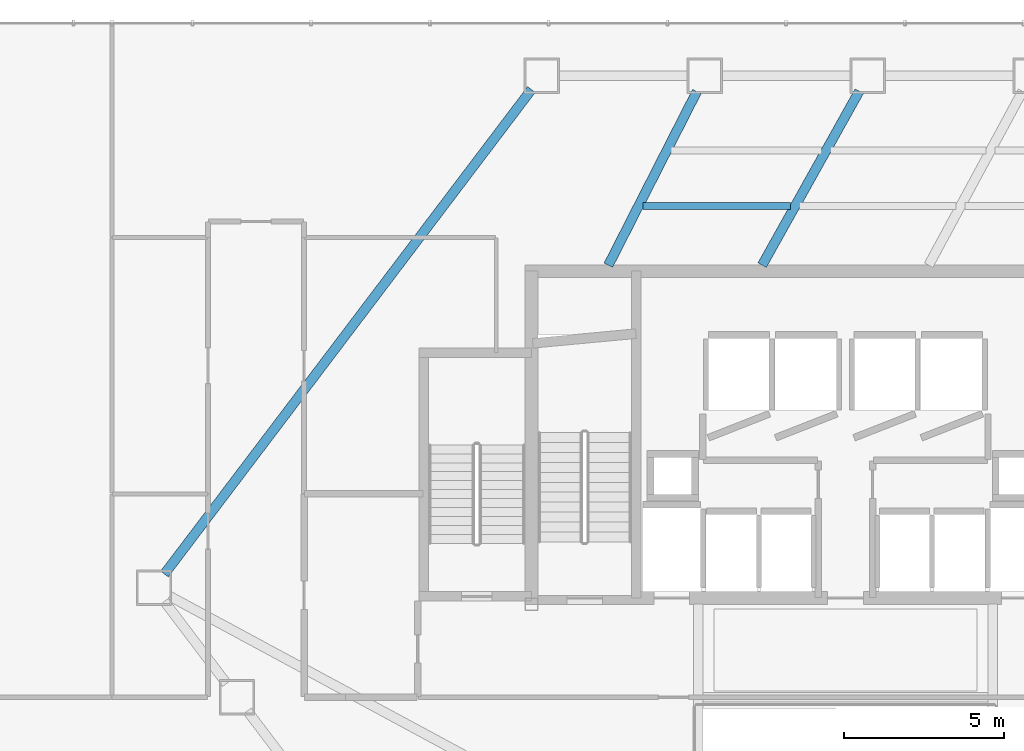
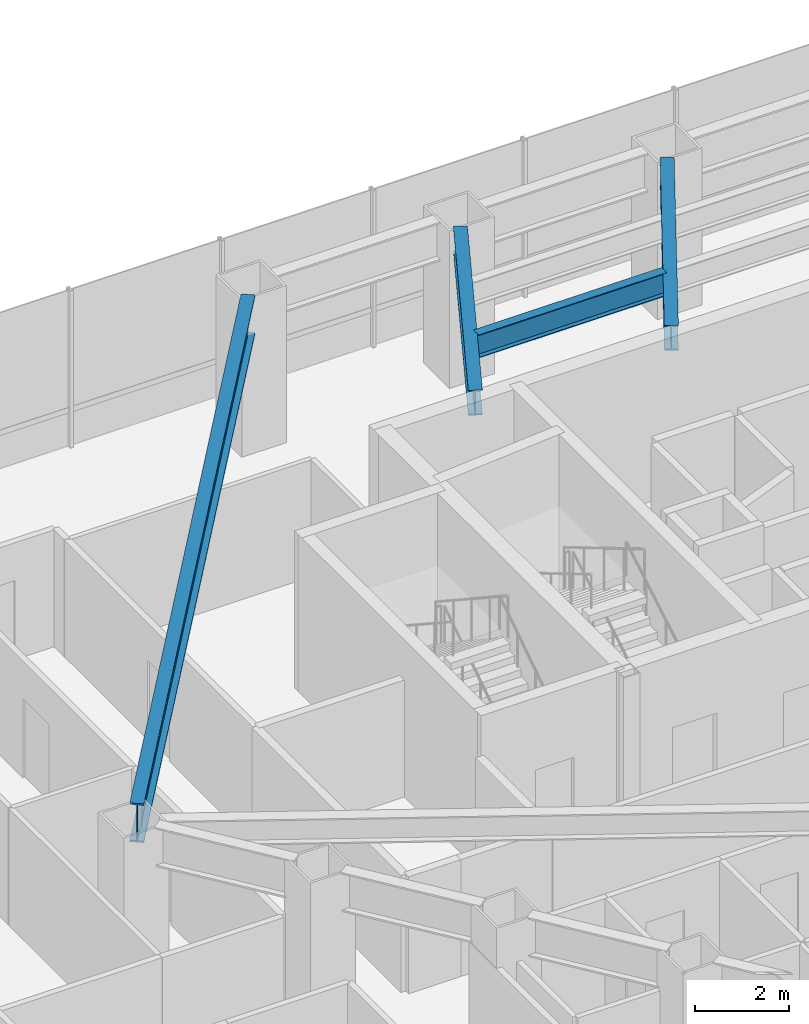
# One storey, part 17 of 33: 4 beams.
"""IFC4 building model written with IfcOpenShell, lengths in metres."""

from ifc_helpers import new_model, si_unit, direction, frame, origin, origin_2d, place, context, subcontext, project, spatial, i_section, extrude, material, material_profile, profile_set, type_object, element, save


model = new_model("IFC4")

# Units and contexts
model_context = context("Model", 3, precision=1e-05, world=origin(), true_north=direction((0.0, 1.0)))
body_context = subcontext(model_context, "Body", "Model", "MODEL_VIEW")
ifc_project = project(units=[si_unit("LENGTHUNIT", "METRE"), si_unit("AREAUNIT", "SQUARE_METRE"), si_unit("VOLUMEUNIT", "CUBIC_METRE"), si_unit("PLANEANGLEUNIT", "RADIAN"), si_unit("MASSUNIT", "GRAM", prefix="KILO")], contexts=[model_context])

# Site, building, storey
site_placement = place(None, origin())
site = spatial("IfcSite", under=ifc_project, at=site_placement, CompositionType="ELEMENT")
building_placement = place(site_placement, origin())
building = spatial("IfcBuilding", under=site, at=building_placement, Name="Zarrinselat Tower", CompositionType="ELEMENT")
storey_placement = place(building_placement, frame((0.0, 0.0, 18.360107421875)))
storey = spatial("IfcBuildingStorey", under=building, at=storey_placement, Name="L04", CompositionType="ELEMENT", Elevation=18.360107421875)

# Beams
ifc_material_1 = material(Name="Steel S355J2", Category="steel")
ifc_material_profile_1 = material_profile(ifc_material_1, i_section(OverallWidth=0.300048828125, OverallDepth=0.64990234375, WebThickness=0.01611328125, FlangeThickness=0.031005859375, at=origin_2d()), Name="HEB 650")
ifc_profile_set_1 = profile_set([ifc_material_profile_1], Name="Steel S355J2")
beam_type_1 = type_object("IfcBeamType", Name="BM-HEB650", PredefinedType="BEAM", material=ifc_profile_set_1)
beam_1_placement = place(storey_placement, frame((35.800048828125, 43.639892578125, 3.744873046875), z_axis=(0.487495671471, 0.873125403535, 0.0), x_axis=(-0.873125403535, 0.487495671471, 0.0)))
element("IfcBeam", 1, at=beam_1_placement, inside=storey, type_object=beam_type_1, Name="L04 Radial Primary Girder RG03", PredefinedType="BEAM", context=body_context, shape_type="SweptSolid", body=[
    extrude(i_section(OverallWidth=0.300048828125, OverallDepth=0.64990234375, WebThickness=0.01611328125, FlangeThickness=0.031005859375, at=origin_2d()), origin(), (0.0, 0.0, 1.0), 6.217041015625),
])
beam_2_placement = place(storey_placement, frame((31.0, 43.639892578125, 3.744873046875), z_axis=(0.454025613445, 0.89098863199, 0.0), x_axis=(-0.89098863199, 0.454025613445, 0.0)))
element("IfcBeam", 2, at=beam_2_placement, inside=storey, type_object=beam_type_1, Name="L04 Radial Primary Girder RG04", PredefinedType="BEAM", context=body_context, shape_type="SweptSolid", body=[
    extrude(i_section(OverallWidth=0.300048828125, OverallDepth=0.64990234375, WebThickness=0.01611328125, FlangeThickness=0.031005859375, at=origin_2d()), origin(), (0.0, 0.0, 1.0), 6.0810546875),
])
ifc_material_2 = material(Name="Steel S460M", Category="steel")
ifc_material_profile_2 = material_profile(ifc_material_2, i_section(OverallWidth=0.302001953125, OverallDepth=1.008056640625, WebThickness=0.02099609375, FlangeThickness=0.0400390625, at=origin_2d()), Name="HEM 1000")
ifc_profile_set_2 = profile_set([ifc_material_profile_2], Name="Steel S460M")
beam_type_2 = type_object("IfcBeamType", Name="BM-HEM1000", PredefinedType="BEAM", material=ifc_profile_set_2)
beam_3_placement = place(storey_placement, frame((17.140380859375, 33.996826171875, 3.56591796875), z_axis=(0.603857192537, 0.797092523501, 0.0), x_axis=(-0.797092523501, 0.603857192537, 0.0)))
element("IfcBeam", 3, at=beam_3_placement, inside=storey, type_object=beam_type_2, Name="L04 Perimeter Spandrel Girder SP05", PredefinedType="BEAM", context=body_context, shape_type="SweptSolid", body=[
    extrude(i_section(OverallWidth=0.302001953125, OverallDepth=1.008056640625, WebThickness=0.02099609375, FlangeThickness=0.0400390625, at=origin_2d()), origin(), (0.0, 0.0, 1.0), 18.974365234375),
])
ifc_material_3 = material(Name="Steel S355J2", Category="steel")
ifc_material_profile_3 = material_profile(ifc_material_3, i_section(OverallWidth=0.219970703125, OverallDepth=0.60009765625, WebThickness=0.011962890625, FlangeThickness=0.01904296875, at=origin_2d()), Name="IPE 600")
ifc_profile_set_3 = profile_set([ifc_material_profile_3], Name="Steel S355J2")
beam_type_3 = type_object("IfcBeamType", Name="BM-IPE600", PredefinedType="JOIST", material=ifc_profile_set_3)
beam_4_placement = place(storey_placement, frame((32.07861328125, 45.482421875, 3.769775390625), z_axis=(0.999999798224, 0.000635256621, 0.0), x_axis=(-0.000635256621, 0.999999798224, 0.0)))
element("IfcBeam", 4, at=beam_4_placement, inside=storey, type_object=beam_type_3, Name="L04 Composite Floor Joist 9-2", PredefinedType="JOIST", context=body_context, shape_type="SweptSolid", body=[
    extrude(i_section(OverallWidth=0.219970703125, OverallDepth=0.60009765625, WebThickness=0.011962890625, FlangeThickness=0.01904296875, at=origin_2d()), origin(), (0.0, 0.0, 1.0), 4.61181640625),
])

save(model, "model.ifc")
